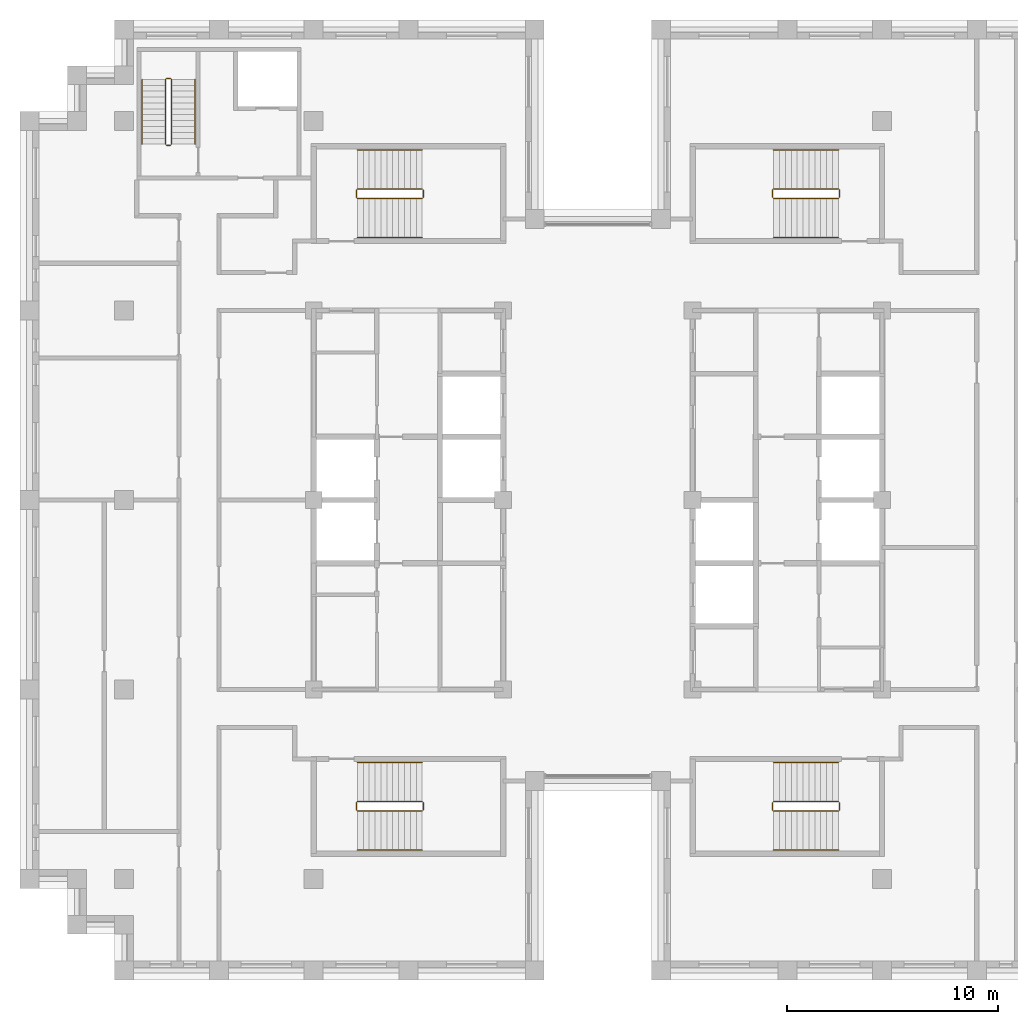
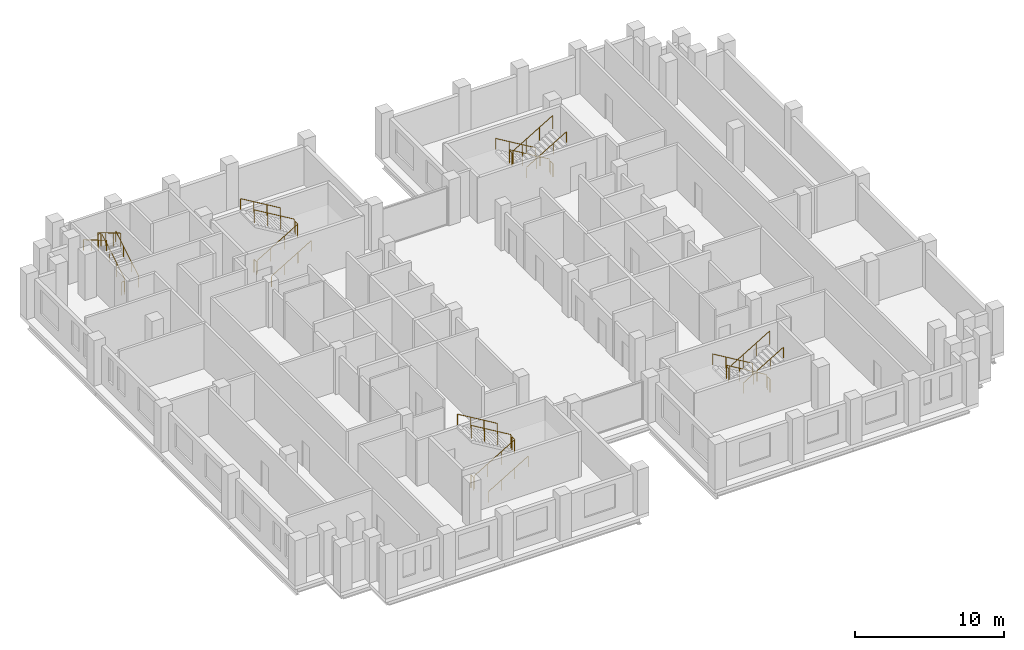
# One storey, part 13 of 13: 5 railings.
"""IFC4 building model written with IfcOpenShell, lengths in metres."""

from ifc_helpers import new_model, si_unit, direction, frame, origin, origin_2d, place, context, subcontext, project, spatial, circle, extrude, material, type_object, element, save


model = new_model("IFC4")

# Units and contexts
model_context = context("Model", 3, precision=1e-05, world=origin(), true_north=direction((0.0, 1.0)))
body_context = subcontext(model_context, "Body", "Model", "MODEL_VIEW")
ifc_project = project(units=[si_unit("LENGTHUNIT", "METRE"), si_unit("AREAUNIT", "SQUARE_METRE"), si_unit("VOLUMEUNIT", "CUBIC_METRE"), si_unit("PLANEANGLEUNIT", "RADIAN"), si_unit("MASSUNIT", "GRAM", prefix="KILO")], contexts=[model_context])

# Site, building, storey
site_placement = place(None, origin())
site = spatial("IfcSite", under=ifc_project, at=site_placement, CompositionType="ELEMENT")
building_placement = place(site_placement, origin())
building = spatial("IfcBuilding", under=site, at=building_placement, Name="Corbelhall Arena Tower", CompositionType="ELEMENT")
storey_placement = place(building_placement, frame((0.0, 0.0, 266.0)))
storey = spatial("IfcBuildingStorey", under=building, at=storey_placement, Name="L57", CompositionType="ELEMENT", Elevation=266.0)

# Railings
ifc_material = material(Name="Steel ASTM A500 Gr C", Category="steel")
railing_type = type_object("IfcRailingType", Name="IN-GD-1100", PredefinedType="GUARDRAIL", material=ifc_material)
railing_1_placement = place(storey_placement, frame((-11.425048828125, 14.324951171875, 0.166748046875)))
element("IfcRailing", 1, at=railing_1_placement, inside=storey, type_object=railing_type, Name="L57 ST1 stair guards and handrails", PredefinedType="GUARDRAIL", context=body_context, shape_type="SweptSolid", body=[
    extrude(circle(Radius=0.02392578125, at=origin_2d()), frame((0.0, 0.0, 1.076171875), z_axis=(0.859308565015, 0.0, 0.511457515432), x_axis=(0.0, 1.0, 0.0)), (0.0, 0.0, 1.0), 3.58447265625),
    extrude(circle(Radius=0.02392578125, at=origin_2d()), frame((3.130126953125, 0.050048828125, 2.9091796875), z_axis=(0.0, 1.0, 0.0), x_axis=(-1.0, 0.0, 0.0)), (0.0, 0.0, 1.0), 0.35009765625),
    extrude(circle(Radius=0.02392578125, at=origin_2d()), frame((3.080078125, 0.449951171875, 3.076171875), z_axis=(-0.859308565015, 0.0, 0.511457515432), x_axis=(0.0, -1.0, 0.0)), (0.0, 0.0, 1.0), 3.58447265625),
    extrude(circle(Radius=0.02392578125, at=origin_2d()), frame((-0.050048828125, 0.050048828125, 0.9091796875), z_axis=(0.0, 1.0, 0.0), x_axis=(-1.0, 0.0, 0.0)), (0.0, 0.0, 1.0), 0.35009765625),
    extrude(circle(Radius=0.02392578125, at=origin_2d()), frame((0.0, -1.849853515625, 0.8759765625), z_axis=(0.859308565015, 0.0, 0.511457515432), x_axis=(0.0, 1.0, 0.0)), (0.0, 0.0, 1.0), 3.58447265625),
    extrude(circle(Radius=0.02392578125, at=origin_2d()), frame((3.080078125, 2.300048828125, 2.8759765625), z_axis=(-0.859308565015, 0.0, 0.511457515432), x_axis=(0.0, -1.0, 0.0)), (0.0, 0.0, 1.0), 3.58447265625),
    extrude(circle(Radius=0.02099609375, at=origin_2d()), origin(), (0.0, 0.0, 1.0), 1.052001953125),
    extrude(circle(Radius=0.02099609375, at=origin_2d()), frame((1.026611328125, 0.0, 0.611083984375)), (0.0, 0.0, 1.0), 1.052001953125),
    extrude(circle(Radius=0.02099609375, at=origin_2d()), frame((2.053466796875, 0.0, 1.22216796875)), (0.0, 0.0, 1.0), 1.052001953125),
    extrude(circle(Radius=0.02099609375, at=origin_2d()), frame((3.080078125, 0.0, 1.833251953125)), (0.0, 0.0, 1.0), 1.052001953125),
    extrude(circle(Radius=0.02099609375, at=origin_2d()), frame((3.130126953125, 0.050048828125, 1.833251953125)), (0.0, 0.0, 1.0), 1.052001953125),
    extrude(circle(Radius=0.02099609375, at=origin_2d()), frame((3.130126953125, 0.400146484375, 1.833251953125)), (0.0, 0.0, 1.0), 1.052001953125),
    extrude(circle(Radius=0.02099609375, at=origin_2d()), frame((3.080078125, 0.449951171875, 2.0)), (0.0, 0.0, 1.0), 1.052001953125),
    extrude(circle(Radius=0.02099609375, at=origin_2d()), frame((2.053466796875, 0.449951171875, 2.611083984375)), (0.0, 0.0, 1.0), 1.052001953125),
    extrude(circle(Radius=0.02099609375, at=origin_2d()), frame((1.026611328125, 0.449951171875, 3.22216796875)), (0.0, 0.0, 1.0), 1.052001953125),
    extrude(circle(Radius=0.02099609375, at=origin_2d()), frame((0.0, 0.449951171875, 3.833251953125)), (0.0, 0.0, 1.0), 1.052001953125),
    extrude(circle(Radius=0.02099609375, at=origin_2d()), frame((-0.050048828125, 0.050048828125, -0.166748046875)), (0.0, 0.0, 1.0), 1.052001953125),
    extrude(circle(Radius=0.02099609375, at=origin_2d()), frame((-0.050048828125, 0.400146484375, -0.166748046875)), (0.0, 0.0, 1.0), 1.052001953125),
    extrude(circle(Radius=0.02099609375, at=origin_2d()), frame((0.0, -1.849853515625, 0.0)), (0.0, 0.0, 1.0), 0.851806640625),
    extrude(circle(Radius=0.02099609375, at=origin_2d()), frame((1.026611328125, -1.849853515625, 0.611083984375)), (0.0, 0.0, 1.0), 0.851806640625),
    extrude(circle(Radius=0.02099609375, at=origin_2d()), frame((2.053466796875, -1.849853515625, 1.22216796875)), (0.0, 0.0, 1.0), 0.851806640625),
    extrude(circle(Radius=0.02099609375, at=origin_2d()), frame((3.080078125, -1.849853515625, 1.833251953125)), (0.0, 0.0, 1.0), 0.851806640625),
    extrude(circle(Radius=0.02099609375, at=origin_2d()), frame((3.080078125, 2.300048828125, 2.0)), (0.0, 0.0, 1.0), 0.851806640625),
    extrude(circle(Radius=0.02099609375, at=origin_2d()), frame((2.053466796875, 2.300048828125, 2.611083984375)), (0.0, 0.0, 1.0), 0.851806640625),
    extrude(circle(Radius=0.02099609375, at=origin_2d()), frame((1.026611328125, 2.300048828125, 3.22216796875)), (0.0, 0.0, 1.0), 0.851806640625),
    extrude(circle(Radius=0.02099609375, at=origin_2d()), frame((0.0, 2.300048828125, 3.833251953125)), (0.0, 0.0, 1.0), 0.851806640625),
])
railing_2_placement = place(storey_placement, frame((-11.425048828125, -14.77490234375, 0.166748046875)))
element("IfcRailing", 2, at=railing_2_placement, inside=storey, type_object=railing_type, Name="L57 ST2 stair guards and handrails", PredefinedType="GUARDRAIL", context=body_context, shape_type="SweptSolid", body=[
    extrude(circle(Radius=0.02392578125, at=origin_2d()), frame((0.0, 0.0, 1.076171875), z_axis=(0.859308565015, 0.0, 0.511457515432), x_axis=(0.0, 1.0, 0.0)), (0.0, 0.0, 1.0), 3.58447265625),
    extrude(circle(Radius=0.02392578125, at=origin_2d()), frame((3.130126953125, 0.0498046875, 2.9091796875), z_axis=(0.0, 1.0, 0.0), x_axis=(-1.0, 0.0, 0.0)), (0.0, 0.0, 1.0), 0.35009765625),
    extrude(circle(Radius=0.02392578125, at=origin_2d()), frame((3.080078125, 0.449951171875, 3.076171875), z_axis=(-0.859308565015, 0.0, 0.511457515432), x_axis=(0.0, -1.0, 0.0)), (0.0, 0.0, 1.0), 3.58447265625),
    extrude(circle(Radius=0.02392578125, at=origin_2d()), frame((-0.050048828125, 0.0498046875, 0.9091796875), z_axis=(0.0, 1.0, 0.0), x_axis=(-1.0, 0.0, 0.0)), (0.0, 0.0, 1.0), 0.35009765625),
    extrude(circle(Radius=0.02392578125, at=origin_2d()), frame((0.0, -1.85009765625, 0.8759765625), z_axis=(0.859308565015, 0.0, 0.511457515432), x_axis=(0.0, 1.0, 0.0)), (0.0, 0.0, 1.0), 3.58447265625),
    extrude(circle(Radius=0.02392578125, at=origin_2d()), frame((3.080078125, 2.2998046875, 2.8759765625), z_axis=(-0.859308565015, 0.0, 0.511457515432), x_axis=(0.0, -1.0, 0.0)), (0.0, 0.0, 1.0), 3.58447265625),
    extrude(circle(Radius=0.02099609375, at=origin_2d()), origin(), (0.0, 0.0, 1.0), 1.052001953125),
    extrude(circle(Radius=0.02099609375, at=origin_2d()), frame((1.026611328125, 0.0, 0.611083984375)), (0.0, 0.0, 1.0), 1.052001953125),
    extrude(circle(Radius=0.02099609375, at=origin_2d()), frame((2.053466796875, 0.0, 1.22216796875)), (0.0, 0.0, 1.0), 1.052001953125),
    extrude(circle(Radius=0.02099609375, at=origin_2d()), frame((3.080078125, 0.0, 1.833251953125)), (0.0, 0.0, 1.0), 1.052001953125),
    extrude(circle(Radius=0.02099609375, at=origin_2d()), frame((3.130126953125, 0.0498046875, 1.833251953125)), (0.0, 0.0, 1.0), 1.052001953125),
    extrude(circle(Radius=0.02099609375, at=origin_2d()), frame((3.130126953125, 0.39990234375, 1.833251953125)), (0.0, 0.0, 1.0), 1.052001953125),
    extrude(circle(Radius=0.02099609375, at=origin_2d()), frame((3.080078125, 0.449951171875, 2.0)), (0.0, 0.0, 1.0), 1.052001953125),
    extrude(circle(Radius=0.02099609375, at=origin_2d()), frame((2.053466796875, 0.449951171875, 2.611083984375)), (0.0, 0.0, 1.0), 1.052001953125),
    extrude(circle(Radius=0.02099609375, at=origin_2d()), frame((1.026611328125, 0.449951171875, 3.22216796875)), (0.0, 0.0, 1.0), 1.052001953125),
    extrude(circle(Radius=0.02099609375, at=origin_2d()), frame((0.0, 0.449951171875, 3.833251953125)), (0.0, 0.0, 1.0), 1.052001953125),
    extrude(circle(Radius=0.02099609375, at=origin_2d()), frame((-0.050048828125, 0.0498046875, -0.166748046875)), (0.0, 0.0, 1.0), 1.052001953125),
    extrude(circle(Radius=0.02099609375, at=origin_2d()), frame((-0.050048828125, 0.39990234375, -0.166748046875)), (0.0, 0.0, 1.0), 1.052001953125),
    extrude(circle(Radius=0.02099609375, at=origin_2d()), frame((0.0, -1.85009765625, 0.0)), (0.0, 0.0, 1.0), 0.851806640625),
    extrude(circle(Radius=0.02099609375, at=origin_2d()), frame((1.026611328125, -1.85009765625, 0.611083984375)), (0.0, 0.0, 1.0), 0.851806640625),
    extrude(circle(Radius=0.02099609375, at=origin_2d()), frame((2.053466796875, -1.85009765625, 1.22216796875)), (0.0, 0.0, 1.0), 0.851806640625),
    extrude(circle(Radius=0.02099609375, at=origin_2d()), frame((3.080078125, -1.85009765625, 1.833251953125)), (0.0, 0.0, 1.0), 0.851806640625),
    extrude(circle(Radius=0.02099609375, at=origin_2d()), frame((3.080078125, 2.2998046875, 2.0)), (0.0, 0.0, 1.0), 0.851806640625),
    extrude(circle(Radius=0.02099609375, at=origin_2d()), frame((2.053466796875, 2.2998046875, 2.611083984375)), (0.0, 0.0, 1.0), 0.851806640625),
    extrude(circle(Radius=0.02099609375, at=origin_2d()), frame((1.026611328125, 2.2998046875, 3.22216796875)), (0.0, 0.0, 1.0), 0.851806640625),
    extrude(circle(Radius=0.02099609375, at=origin_2d()), frame((0.0, 2.2998046875, 3.833251953125)), (0.0, 0.0, 1.0), 0.851806640625),
])
railing_3_placement = place(storey_placement, frame((11.425048828125, 14.77490234375, 0.166748046875)))
element("IfcRailing", 3, at=railing_3_placement, inside=storey, type_object=railing_type, Name="L57 ST3 stair guards and handrails", PredefinedType="GUARDRAIL", context=body_context, shape_type="SweptSolid", body=[
    extrude(circle(Radius=0.02392578125, at=origin_2d()), frame((0.0, 0.0, 1.076171875), z_axis=(-0.859308565015, 0.0, 0.511457515432), x_axis=(0.0, -1.0, 0.0)), (0.0, 0.0, 1.0), 3.58447265625),
    extrude(circle(Radius=0.02392578125, at=origin_2d()), frame((-3.130126953125, -0.0498046875, 2.9091796875), z_axis=(0.0, -1.0, 0.0), x_axis=(1.0, 0.0, 0.0)), (0.0, 0.0, 1.0), 0.35009765625),
    extrude(circle(Radius=0.02392578125, at=origin_2d()), frame((-3.080078125, -0.449951171875, 3.076171875), z_axis=(0.859308565015, 0.0, 0.511457515432), x_axis=(0.0, 1.0, 0.0)), (0.0, 0.0, 1.0), 3.58447265625),
    extrude(circle(Radius=0.02392578125, at=origin_2d()), frame((0.050048828125, -0.0498046875, 0.9091796875), z_axis=(0.0, -1.0, 0.0), x_axis=(1.0, 0.0, 0.0)), (0.0, 0.0, 1.0), 0.35009765625),
    extrude(circle(Radius=0.02392578125, at=origin_2d()), frame((0.0, 1.85009765625, 0.8759765625), z_axis=(-0.859308565015, 0.0, 0.511457515432), x_axis=(0.0, -1.0, 0.0)), (0.0, 0.0, 1.0), 3.58447265625),
    extrude(circle(Radius=0.02392578125, at=origin_2d()), frame((-3.080078125, -2.2998046875, 2.8759765625), z_axis=(0.859308565015, 0.0, 0.511457515432), x_axis=(0.0, 1.0, 0.0)), (0.0, 0.0, 1.0), 3.58447265625),
    extrude(circle(Radius=0.02099609375, at=origin_2d()), origin(), (0.0, 0.0, 1.0), 1.052001953125),
    extrude(circle(Radius=0.02099609375, at=origin_2d()), frame((-1.026611328125, 0.0, 0.611083984375)), (0.0, 0.0, 1.0), 1.052001953125),
    extrude(circle(Radius=0.02099609375, at=origin_2d()), frame((-2.053466796875, 0.0, 1.22216796875)), (0.0, 0.0, 1.0), 1.052001953125),
    extrude(circle(Radius=0.02099609375, at=origin_2d()), frame((-3.080078125, 0.0, 1.833251953125)), (0.0, 0.0, 1.0), 1.052001953125),
    extrude(circle(Radius=0.02099609375, at=origin_2d()), frame((-3.130126953125, -0.0498046875, 1.833251953125)), (0.0, 0.0, 1.0), 1.052001953125),
    extrude(circle(Radius=0.02099609375, at=origin_2d()), frame((-3.130126953125, -0.39990234375, 1.833251953125)), (0.0, 0.0, 1.0), 1.052001953125),
    extrude(circle(Radius=0.02099609375, at=origin_2d()), frame((-3.080078125, -0.449951171875, 2.0)), (0.0, 0.0, 1.0), 1.052001953125),
    extrude(circle(Radius=0.02099609375, at=origin_2d()), frame((-2.053466796875, -0.449951171875, 2.611083984375)), (0.0, 0.0, 1.0), 1.052001953125),
    extrude(circle(Radius=0.02099609375, at=origin_2d()), frame((-1.026611328125, -0.449951171875, 3.22216796875)), (0.0, 0.0, 1.0), 1.052001953125),
    extrude(circle(Radius=0.02099609375, at=origin_2d()), frame((0.0, -0.449951171875, 3.833251953125)), (0.0, 0.0, 1.0), 1.052001953125),
    extrude(circle(Radius=0.02099609375, at=origin_2d()), frame((0.050048828125, -0.0498046875, -0.166748046875)), (0.0, 0.0, 1.0), 1.052001953125),
    extrude(circle(Radius=0.02099609375, at=origin_2d()), frame((0.050048828125, -0.39990234375, -0.166748046875)), (0.0, 0.0, 1.0), 1.052001953125),
    extrude(circle(Radius=0.02099609375, at=origin_2d()), frame((0.0, 1.85009765625, 0.0)), (0.0, 0.0, 1.0), 0.851806640625),
    extrude(circle(Radius=0.02099609375, at=origin_2d()), frame((-1.026611328125, 1.85009765625, 0.611083984375)), (0.0, 0.0, 1.0), 0.851806640625),
    extrude(circle(Radius=0.02099609375, at=origin_2d()), frame((-2.053466796875, 1.85009765625, 1.22216796875)), (0.0, 0.0, 1.0), 0.851806640625),
    extrude(circle(Radius=0.02099609375, at=origin_2d()), frame((-3.080078125, 1.85009765625, 1.833251953125)), (0.0, 0.0, 1.0), 0.851806640625),
    extrude(circle(Radius=0.02099609375, at=origin_2d()), frame((-3.080078125, -2.2998046875, 2.0)), (0.0, 0.0, 1.0), 0.851806640625),
    extrude(circle(Radius=0.02099609375, at=origin_2d()), frame((-2.053466796875, -2.2998046875, 2.611083984375)), (0.0, 0.0, 1.0), 0.851806640625),
    extrude(circle(Radius=0.02099609375, at=origin_2d()), frame((-1.026611328125, -2.2998046875, 3.22216796875)), (0.0, 0.0, 1.0), 0.851806640625),
    extrude(circle(Radius=0.02099609375, at=origin_2d()), frame((0.0, -2.2998046875, 3.833251953125)), (0.0, 0.0, 1.0), 0.851806640625),
])
railing_4_placement = place(storey_placement, frame((11.425048828125, -14.324951171875, 0.166748046875)))
element("IfcRailing", 4, at=railing_4_placement, inside=storey, type_object=railing_type, Name="L57 ST4 stair guards and handrails", PredefinedType="GUARDRAIL", context=body_context, shape_type="SweptSolid", body=[
    extrude(circle(Radius=0.02392578125, at=origin_2d()), frame((0.0, 0.0, 1.076171875), z_axis=(-0.859308565015, 0.0, 0.511457515432), x_axis=(0.0, -1.0, 0.0)), (0.0, 0.0, 1.0), 3.58447265625),
    extrude(circle(Radius=0.02392578125, at=origin_2d()), frame((-3.130126953125, -0.050048828125, 2.9091796875), z_axis=(0.0, -1.0, 0.0), x_axis=(1.0, 0.0, 0.0)), (0.0, 0.0, 1.0), 0.35009765625),
    extrude(circle(Radius=0.02392578125, at=origin_2d()), frame((-3.080078125, -0.449951171875, 3.076171875), z_axis=(0.859308565015, 0.0, 0.511457515432), x_axis=(0.0, 1.0, 0.0)), (0.0, 0.0, 1.0), 3.58447265625),
    extrude(circle(Radius=0.02392578125, at=origin_2d()), frame((0.050048828125, -0.050048828125, 0.9091796875), z_axis=(0.0, -1.0, 0.0), x_axis=(1.0, 0.0, 0.0)), (0.0, 0.0, 1.0), 0.35009765625),
    extrude(circle(Radius=0.02392578125, at=origin_2d()), frame((0.0, 1.849853515625, 0.8759765625), z_axis=(-0.859308565015, 0.0, 0.511457515432), x_axis=(0.0, -1.0, 0.0)), (0.0, 0.0, 1.0), 3.58447265625),
    extrude(circle(Radius=0.02392578125, at=origin_2d()), frame((-3.080078125, -2.300048828125, 2.8759765625), z_axis=(0.859308565015, 0.0, 0.511457515432), x_axis=(0.0, 1.0, 0.0)), (0.0, 0.0, 1.0), 3.58447265625),
    extrude(circle(Radius=0.02099609375, at=origin_2d()), origin(), (0.0, 0.0, 1.0), 1.052001953125),
    extrude(circle(Radius=0.02099609375, at=origin_2d()), frame((-1.026611328125, 0.0, 0.611083984375)), (0.0, 0.0, 1.0), 1.052001953125),
    extrude(circle(Radius=0.02099609375, at=origin_2d()), frame((-2.053466796875, 0.0, 1.22216796875)), (0.0, 0.0, 1.0), 1.052001953125),
    extrude(circle(Radius=0.02099609375, at=origin_2d()), frame((-3.080078125, 0.0, 1.833251953125)), (0.0, 0.0, 1.0), 1.052001953125),
    extrude(circle(Radius=0.02099609375, at=origin_2d()), frame((-3.130126953125, -0.050048828125, 1.833251953125)), (0.0, 0.0, 1.0), 1.052001953125),
    extrude(circle(Radius=0.02099609375, at=origin_2d()), frame((-3.130126953125, -0.400146484375, 1.833251953125)), (0.0, 0.0, 1.0), 1.052001953125),
    extrude(circle(Radius=0.02099609375, at=origin_2d()), frame((-3.080078125, -0.449951171875, 2.0)), (0.0, 0.0, 1.0), 1.052001953125),
    extrude(circle(Radius=0.02099609375, at=origin_2d()), frame((-2.053466796875, -0.449951171875, 2.611083984375)), (0.0, 0.0, 1.0), 1.052001953125),
    extrude(circle(Radius=0.02099609375, at=origin_2d()), frame((-1.026611328125, -0.449951171875, 3.22216796875)), (0.0, 0.0, 1.0), 1.052001953125),
    extrude(circle(Radius=0.02099609375, at=origin_2d()), frame((0.0, -0.449951171875, 3.833251953125)), (0.0, 0.0, 1.0), 1.052001953125),
    extrude(circle(Radius=0.02099609375, at=origin_2d()), frame((0.050048828125, -0.050048828125, -0.166748046875)), (0.0, 0.0, 1.0), 1.052001953125),
    extrude(circle(Radius=0.02099609375, at=origin_2d()), frame((0.050048828125, -0.400146484375, -0.166748046875)), (0.0, 0.0, 1.0), 1.052001953125),
    extrude(circle(Radius=0.02099609375, at=origin_2d()), frame((0.0, 1.849853515625, 0.0)), (0.0, 0.0, 1.0), 0.851806640625),
    extrude(circle(Radius=0.02099609375, at=origin_2d()), frame((-1.026611328125, 1.849853515625, 0.611083984375)), (0.0, 0.0, 1.0), 0.851806640625),
    extrude(circle(Radius=0.02099609375, at=origin_2d()), frame((-2.053466796875, 1.849853515625, 1.22216796875)), (0.0, 0.0, 1.0), 0.851806640625),
    extrude(circle(Radius=0.02099609375, at=origin_2d()), frame((-3.080078125, 1.849853515625, 1.833251953125)), (0.0, 0.0, 1.0), 0.851806640625),
    extrude(circle(Radius=0.02099609375, at=origin_2d()), frame((-3.080078125, -2.300048828125, 2.0)), (0.0, 0.0, 1.0), 0.851806640625),
    extrude(circle(Radius=0.02099609375, at=origin_2d()), frame((-2.053466796875, -2.300048828125, 2.611083984375)), (0.0, 0.0, 1.0), 0.851806640625),
    extrude(circle(Radius=0.02099609375, at=origin_2d()), frame((-1.026611328125, -2.300048828125, 3.22216796875)), (0.0, 0.0, 1.0), 0.851806640625),
    extrude(circle(Radius=0.02099609375, at=origin_2d()), frame((0.0, -2.300048828125, 3.833251953125)), (0.0, 0.0, 1.0), 0.851806640625),
])
railing_5_placement = place(storey_placement, frame((-20.2451171875, 16.89990234375, 0.166748046875)))
element("IfcRailing", 5, at=railing_5_placement, inside=storey, type_object=railing_type, Name="L57 ST5 stair guards and handrails", PredefinedType="GUARDRAIL", context=body_context, shape_type="SweptSolid", body=[
    extrude(circle(Radius=0.02392578125, at=origin_2d()), frame((0.0, 0.0, 1.076171875), z_axis=(0.0, 0.859308565015, 0.511457515432), x_axis=(-1.0, 0.0, 0.0)), (0.0, 0.0, 1.0), 3.58447265625),
    extrude(circle(Radius=0.02392578125, at=origin_2d()), frame((-0.0498046875, 3.130126953125, 2.9091796875), z_axis=(-1.0, 0.0, 0.0), x_axis=(0.0, -1.0, 0.0)), (0.0, 0.0, 1.0), 0.2001953125),
    extrude(circle(Radius=0.02392578125, at=origin_2d()), frame((-0.2998046875, 3.080078125, 3.076171875), z_axis=(0.0, -0.859308565015, 0.511457515432), x_axis=(1.0, 0.0, 0.0)), (0.0, 0.0, 1.0), 3.58447265625),
    extrude(circle(Radius=0.02392578125, at=origin_2d()), frame((-0.0498046875, -0.0498046875, 0.9091796875), z_axis=(-1.0, 0.0, 0.0), x_axis=(0.0, -1.0, 0.0)), (0.0, 0.0, 1.0), 0.2001953125),
    extrude(circle(Radius=0.02392578125, at=origin_2d()), frame((1.10009765625, 0.0, 0.8759765625), z_axis=(0.0, 0.859308565015, 0.511457515432), x_axis=(-1.0, 0.0, 0.0)), (0.0, 0.0, 1.0), 3.58447265625),
    extrude(circle(Radius=0.02392578125, at=origin_2d()), frame((-1.39990234375, 3.080078125, 2.8759765625), z_axis=(0.0, -0.859308565015, 0.511457515432), x_axis=(1.0, 0.0, 0.0)), (0.0, 0.0, 1.0), 3.58447265625),
    extrude(circle(Radius=0.02099609375, at=origin_2d()), origin(), (0.0, 0.0, 1.0), 1.052001953125),
    extrude(circle(Radius=0.02099609375, at=origin_2d()), frame((0.0, 1.026611328125, 0.611083984375)), (0.0, 0.0, 1.0), 1.052001953125),
    extrude(circle(Radius=0.02099609375, at=origin_2d()), frame((0.0, 2.053466796875, 1.22216796875)), (0.0, 0.0, 1.0), 1.052001953125),
    extrude(circle(Radius=0.02099609375, at=origin_2d()), frame((0.0, 3.080078125, 1.833251953125)), (0.0, 0.0, 1.0), 1.052001953125),
    extrude(circle(Radius=0.02099609375, at=origin_2d()), frame((-0.0498046875, 3.130126953125, 1.833251953125)), (0.0, 0.0, 1.0), 1.052001953125),
    extrude(circle(Radius=0.02099609375, at=origin_2d()), frame((-0.25, 3.130126953125, 1.833251953125)), (0.0, 0.0, 1.0), 1.052001953125),
    extrude(circle(Radius=0.02099609375, at=origin_2d()), frame((-0.2998046875, 3.080078125, 2.0)), (0.0, 0.0, 1.0), 1.052001953125),
    extrude(circle(Radius=0.02099609375, at=origin_2d()), frame((-0.2998046875, 2.053466796875, 2.611083984375)), (0.0, 0.0, 1.0), 1.052001953125),
    extrude(circle(Radius=0.02099609375, at=origin_2d()), frame((-0.2998046875, 1.026611328125, 3.22216796875)), (0.0, 0.0, 1.0), 1.052001953125),
    extrude(circle(Radius=0.02099609375, at=origin_2d()), frame((-0.2998046875, 0.0, 3.833251953125)), (0.0, 0.0, 1.0), 1.052001953125),
    extrude(circle(Radius=0.02099609375, at=origin_2d()), frame((-0.0498046875, -0.0498046875, -0.166748046875)), (0.0, 0.0, 1.0), 1.052001953125),
    extrude(circle(Radius=0.02099609375, at=origin_2d()), frame((-0.25, -0.0498046875, -0.166748046875)), (0.0, 0.0, 1.0), 1.052001953125),
    extrude(circle(Radius=0.02099609375, at=origin_2d()), frame((1.10009765625, 0.0, 0.0)), (0.0, 0.0, 1.0), 0.851806640625),
    extrude(circle(Radius=0.02099609375, at=origin_2d()), frame((1.10009765625, 1.026611328125, 0.611083984375)), (0.0, 0.0, 1.0), 0.851806640625),
    extrude(circle(Radius=0.02099609375, at=origin_2d()), frame((1.10009765625, 2.053466796875, 1.22216796875)), (0.0, 0.0, 1.0), 0.851806640625),
    extrude(circle(Radius=0.02099609375, at=origin_2d()), frame((1.10009765625, 3.080078125, 1.833251953125)), (0.0, 0.0, 1.0), 0.851806640625),
    extrude(circle(Radius=0.02099609375, at=origin_2d()), frame((-1.39990234375, 3.080078125, 2.0)), (0.0, 0.0, 1.0), 0.851806640625),
    extrude(circle(Radius=0.02099609375, at=origin_2d()), frame((-1.39990234375, 2.053466796875, 2.611083984375)), (0.0, 0.0, 1.0), 0.851806640625),
    extrude(circle(Radius=0.02099609375, at=origin_2d()), frame((-1.39990234375, 1.026611328125, 3.22216796875)), (0.0, 0.0, 1.0), 0.851806640625),
    extrude(circle(Radius=0.02099609375, at=origin_2d()), frame((-1.39990234375, 0.0, 3.833251953125)), (0.0, 0.0, 1.0), 0.851806640625),
])

save(model, "model.ifc")
